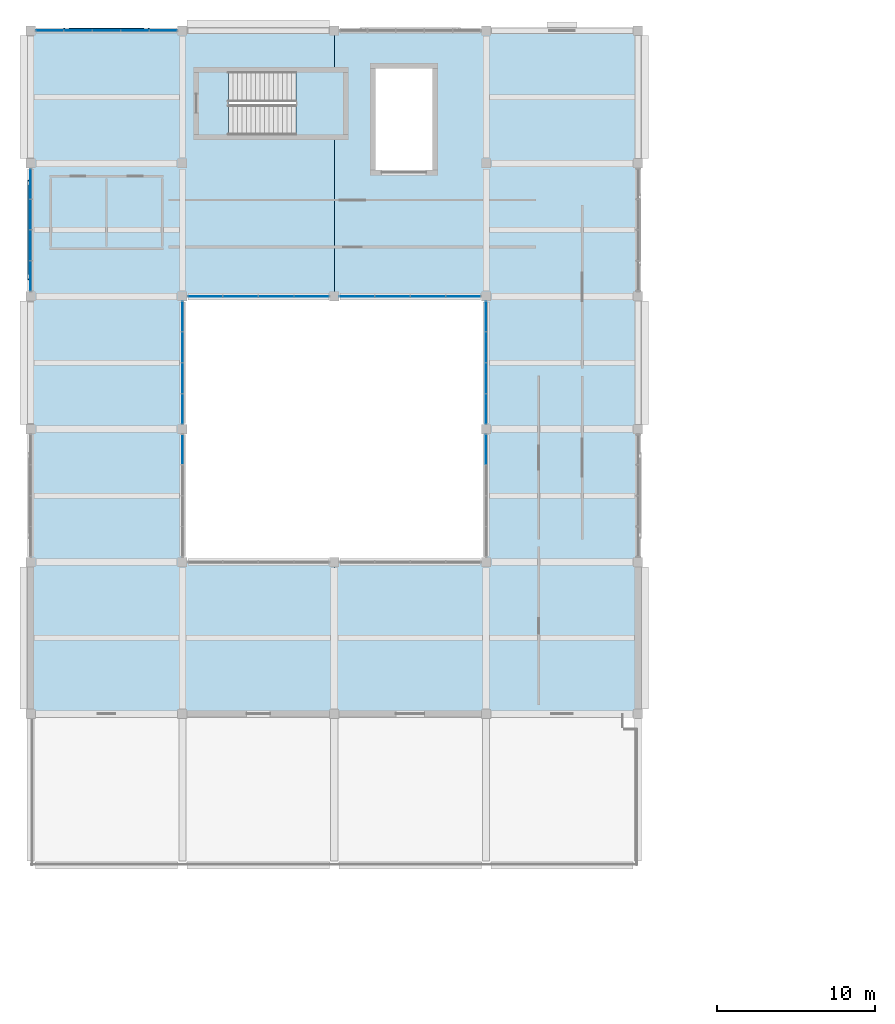
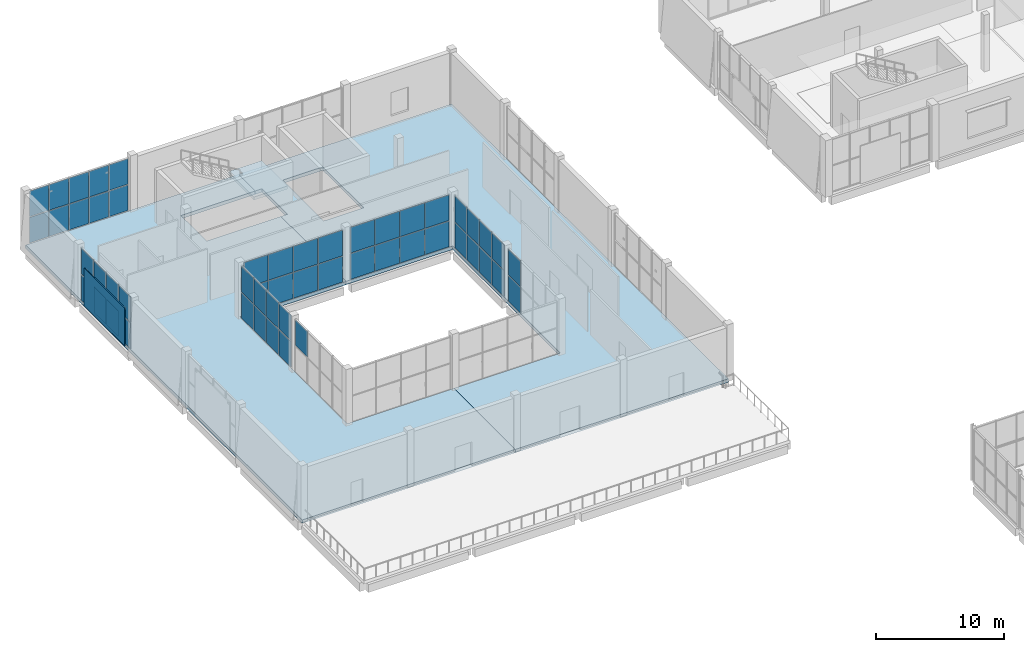
# One storey, part 47 of 83: 55 plates, 3 slabs, 9 elements without a shape of their own.
"""IFC4 building model written with IfcOpenShell, lengths in metres."""

from ifc_helpers import new_model, si_unit, direction, frame, origin, origin_2d, place, context, subcontext, project, spatial, polyline, rectangle, outline, extrude, material, layer, layer_set, type_object, element, aggregate, save


model = new_model("IFC4")

# Units and contexts
model_context = context("Model", 3, precision=1e-05, world=origin(), true_north=direction((0.0, 1.0)))
body_context = subcontext(model_context, "Body", "Model", "MODEL_VIEW")
ifc_project = project(units=[si_unit("LENGTHUNIT", "METRE"), si_unit("AREAUNIT", "SQUARE_METRE"), si_unit("VOLUMEUNIT", "CUBIC_METRE"), si_unit("PLANEANGLEUNIT", "RADIAN"), si_unit("MASSUNIT", "GRAM", prefix="KILO")], contexts=[model_context])

# Site, building, storey
site_placement = place(None, origin())
site = spatial("IfcSite", under=ifc_project, at=site_placement, CompositionType="ELEMENT")
building_placement = place(site_placement, origin())
building = spatial("IfcBuilding", under=site, at=building_placement, Name="Shalvenor Court Art Gallery", CompositionType="ELEMENT")
storey_placement = place(building_placement, frame((0.0, 0.0, 6.0)))
storey = spatial("IfcBuildingStorey", under=building, at=storey_placement, Name="L01", CompositionType="ELEMENT", Elevation=6.0)

# Curtain wall, plates
ifc_material_1 = material(Name="Anodised aluminium and low-iron glass curtain wall", Category="aluminium")
curtain_wall_type_1 = type_object("IfcCurtainWallType", Name="CW-5x2-90-51-641", PredefinedType="USERDEFINED", material=ifc_material_1)
curtain_wall_1_placement = place(storey_placement, origin())
curtain_wall_1 = element("IfcCurtainWall", 1, at=curtain_wall_1_placement, inside=storey, type_object=curtain_wall_type_1, Name="L01 V5 Curtain Wall CW-L01-167", ObjectType="CURTAIN WALL", PredefinedType="USERDEFINED")
ifc_material_2 = material(Name="Low-iron UV-laminated double glazing IGU", Category="glass")
ifc_layer_1 = layer(ifc_material_2, 0.028076171875, Name="Low-iron UV-laminated double glazing IGU")
ifc_layer_set_1 = layer_set([ifc_layer_1], Name="Low-iron UV-laminated double glazing IGU")
plate_type_1 = type_object("IfcPlateType", Name="CWP-01", PredefinedType="CURTAIN_PANEL", material=ifc_layer_set_1)
plate_1_placement = place(storey_placement, frame((1.2138671875, 122.39990234375, 0.070068359375), z_axis=(0.0, 0.0, 1.0), x_axis=(1.0, 0.0, 0.0)))
plate_1 = element("IfcPlate", 2, at=plate_1_placement, type_object=plate_type_1, Name="CW-5x2-90-51-641 panel 1.1", PredefinedType="CURTAIN_PANEL", context=body_context, shape_type="SweptSolid", body=[
    extrude(rectangle(XDim=1.717529296875, YDim=0.028076171875, at=origin_2d()), origin(), (0.0, 0.0, 1.0), 2.43505859375),
])
plate_2_placement = place(storey_placement, frame((1.2138671875, 122.39990234375, 2.574951171875), z_axis=(0.0, 0.0, 1.0), x_axis=(1.0, 0.0, 0.0)))
plate_2 = element("IfcPlate", 3, at=plate_2_placement, type_object=plate_type_1, Name="CW-5x2-90-51-641 panel 1.2", PredefinedType="CURTAIN_PANEL", context=body_context, shape_type="SweptSolid", body=[
    extrude(rectangle(XDim=1.717529296875, YDim=0.028076171875, at=origin_2d()), origin(), (0.0, 0.0, 1.0), 2.43505859375),
])
plate_3_placement = place(storey_placement, frame((3.0, 122.39990234375, 0.070068359375), z_axis=(0.0, 0.0, 1.0), x_axis=(1.0, 0.0, 0.0)))
plate_3 = element("IfcPlate", 4, at=plate_3_placement, type_object=plate_type_1, Name="CW-5x2-90-51-641 panel 2.1", PredefinedType="CURTAIN_PANEL", context=body_context, shape_type="SweptSolid", body=[
    extrude(rectangle(XDim=1.7451171875, YDim=0.028076171875, at=origin_2d()), origin(), (0.0, 0.0, 1.0), 2.43505859375),
])
plate_4_placement = place(storey_placement, frame((3.0, 122.39990234375, 2.574951171875), z_axis=(0.0, 0.0, 1.0), x_axis=(1.0, 0.0, 0.0)))
plate_4 = element("IfcPlate", 5, at=plate_4_placement, type_object=plate_type_1, Name="CW-5x2-90-51-641 panel 2.2", PredefinedType="CURTAIN_PANEL", context=body_context, shape_type="SweptSolid", body=[
    extrude(rectangle(XDim=1.7451171875, YDim=0.028076171875, at=origin_2d()), origin(), (0.0, 0.0, 1.0), 2.43505859375),
])
plate_5_placement = place(storey_placement, frame((4.800048828125, 122.39990234375, 0.070068359375), z_axis=(0.0, 0.0, 1.0), x_axis=(1.0, 0.0, 0.0)))
plate_5 = element("IfcPlate", 6, at=plate_5_placement, type_object=plate_type_1, Name="CW-5x2-90-51-641 panel 3.1", PredefinedType="CURTAIN_PANEL", context=body_context, shape_type="SweptSolid", body=[
    extrude(rectangle(XDim=1.7451171875, YDim=0.028076171875, at=origin_2d()), origin(), (0.0, 0.0, 1.0), 2.43505859375),
])
plate_6_placement = place(storey_placement, frame((4.800048828125, 122.39990234375, 2.574951171875), z_axis=(0.0, 0.0, 1.0), x_axis=(1.0, 0.0, 0.0)))
plate_6 = element("IfcPlate", 7, at=plate_6_placement, type_object=plate_type_1, Name="CW-5x2-90-51-641 panel 3.2", PredefinedType="CURTAIN_PANEL", context=body_context, shape_type="SweptSolid", body=[
    extrude(rectangle(XDim=1.7451171875, YDim=0.028076171875, at=origin_2d()), origin(), (0.0, 0.0, 1.0), 2.43505859375),
])
plate_7_placement = place(storey_placement, frame((6.60009765625, 122.39990234375, 0.070068359375), z_axis=(0.0, 0.0, 1.0), x_axis=(1.0, 0.0, 0.0)))
plate_7 = element("IfcPlate", 8, at=plate_7_placement, type_object=plate_type_1, Name="CW-5x2-90-51-641 panel 4.1", PredefinedType="CURTAIN_PANEL", context=body_context, shape_type="SweptSolid", body=[
    extrude(rectangle(XDim=1.7451171875, YDim=0.028076171875, at=origin_2d()), origin(), (0.0, 0.0, 1.0), 2.43505859375),
])
plate_8_placement = place(storey_placement, frame((6.60009765625, 122.39990234375, 2.574951171875), z_axis=(0.0, 0.0, 1.0), x_axis=(1.0, 0.0, 0.0)))
plate_8 = element("IfcPlate", 9, at=plate_8_placement, type_object=plate_type_1, Name="CW-5x2-90-51-641 panel 4.2", PredefinedType="CURTAIN_PANEL", context=body_context, shape_type="SweptSolid", body=[
    extrude(rectangle(XDim=1.7451171875, YDim=0.028076171875, at=origin_2d()), origin(), (0.0, 0.0, 1.0), 2.43505859375),
])
plate_9_placement = place(storey_placement, frame((8.38623046875, 122.39990234375, 0.070068359375), z_axis=(0.0, 0.0, 1.0), x_axis=(1.0, 0.0, 0.0)))
plate_9 = element("IfcPlate", 10, at=plate_9_placement, type_object=plate_type_1, Name="CW-5x2-90-51-641 panel 5.1", PredefinedType="CURTAIN_PANEL", context=body_context, shape_type="SweptSolid", body=[
    extrude(rectangle(XDim=1.717529296875, YDim=0.028076171875, at=origin_2d()), origin(), (0.0, 0.0, 1.0), 2.43505859375),
])
plate_10_placement = place(storey_placement, frame((8.38623046875, 122.39990234375, 2.574951171875), z_axis=(0.0, 0.0, 1.0), x_axis=(1.0, 0.0, 0.0)))
plate_10 = element("IfcPlate", 11, at=plate_10_placement, type_object=plate_type_1, Name="CW-5x2-90-51-641 panel 5.2", PredefinedType="CURTAIN_PANEL", context=body_context, shape_type="SweptSolid", body=[
    extrude(rectangle(XDim=1.717529296875, YDim=0.028076171875, at=origin_2d()), origin(), (0.0, 0.0, 1.0), 2.43505859375),
])
aggregate(curtain_wall_1, [plate_1, plate_2, plate_3, plate_4, plate_5, plate_6, plate_7, plate_8, plate_9, plate_10])

ifc_material_3 = material(Name="Anodised aluminium and low-iron glass curtain wall", Category="aluminium")
curtain_wall_type_2 = type_object("IfcCurtainWallType", Name="CW-4x2-78-51-121", PredefinedType="USERDEFINED", material=ifc_material_3)
curtain_wall_2_placement = place(storey_placement, origin())
curtain_wall_2 = element("IfcCurtainWall", 12, at=curtain_wall_2_placement, inside=storey, type_object=curtain_wall_type_2, Name="L01 V5 Curtain Wall CW-L01-172", ObjectType="CURTAIN WALL", PredefinedType="USERDEFINED")
plate_11_placement = place(storey_placement, frame((0.0, 106.891357421875, 0.06494140625), z_axis=(0.0, 0.0, 1.0), x_axis=(0.0, 1.0, 0.0)))
plate_11 = element("IfcPlate", 13, at=plate_11_placement, type_object=plate_type_1, Name="CW-4x2-78-51-121 panel 1.1", PredefinedType="CURTAIN_PANEL", context=body_context, shape_type="SweptSolid", body=[
    extrude(rectangle(XDim=1.8525390625, YDim=0.028076171875, at=origin_2d()), origin(), (0.0, 0.0, 1.0), 2.4423828125),
])
plate_12_placement = place(storey_placement, frame((0.0, 106.891357421875, 2.572509765625), z_axis=(0.0, 0.0, 1.0), x_axis=(0.0, 1.0, 0.0)))
plate_12 = element("IfcPlate", 14, at=plate_12_placement, type_object=plate_type_1, Name="CW-4x2-78-51-121 panel 1.2", PredefinedType="CURTAIN_PANEL", context=body_context, shape_type="SweptSolid", body=[
    extrude(rectangle(XDim=1.8525390625, YDim=0.028076171875, at=origin_2d()), origin(), (0.0, 0.0, 1.0), 2.4423828125),
])
plate_13_placement = place(storey_placement, frame((0.0, 108.824951171875, 0.06494140625), z_axis=(0.0, 0.0, 1.0), x_axis=(0.0, 1.0, 0.0)))
plate_13 = element("IfcPlate", 15, at=plate_13_placement, type_object=plate_type_1, Name="CW-4x2-78-51-121 panel 2.1", PredefinedType="CURTAIN_PANEL", context=body_context, shape_type="SweptSolid", body=[
    extrude(rectangle(XDim=1.885009765625, YDim=0.028076171875, at=origin_2d()), origin(), (0.0, 0.0, 1.0), 2.4423828125),
])
plate_14_placement = place(storey_placement, frame((0.0, 108.824951171875, 2.572509765625), z_axis=(0.0, 0.0, 1.0), x_axis=(0.0, 1.0, 0.0)))
plate_14 = element("IfcPlate", 16, at=plate_14_placement, type_object=plate_type_1, Name="CW-4x2-78-51-121 panel 2.2", PredefinedType="CURTAIN_PANEL", context=body_context, shape_type="SweptSolid", body=[
    extrude(rectangle(XDim=1.885009765625, YDim=0.028076171875, at=origin_2d()), origin(), (0.0, 0.0, 1.0), 2.4423828125),
])
plate_15_placement = place(storey_placement, frame((0.0, 110.77490234375, 0.06494140625), z_axis=(0.0, 0.0, 1.0), x_axis=(0.0, 1.0, 0.0)))
plate_15 = element("IfcPlate", 17, at=plate_15_placement, type_object=plate_type_1, Name="CW-4x2-78-51-121 panel 3.1", PredefinedType="CURTAIN_PANEL", context=body_context, shape_type="SweptSolid", body=[
    extrude(rectangle(XDim=1.885009765625, YDim=0.028076171875, at=origin_2d()), origin(), (0.0, 0.0, 1.0), 2.4423828125),
])
plate_16_placement = place(storey_placement, frame((0.0, 110.77490234375, 2.572509765625), z_axis=(0.0, 0.0, 1.0), x_axis=(0.0, 1.0, 0.0)))
plate_16 = element("IfcPlate", 18, at=plate_16_placement, type_object=plate_type_1, Name="CW-4x2-78-51-121 panel 3.2", PredefinedType="CURTAIN_PANEL", context=body_context, shape_type="SweptSolid", body=[
    extrude(rectangle(XDim=1.885009765625, YDim=0.028076171875, at=origin_2d()), origin(), (0.0, 0.0, 1.0), 2.4423828125),
])
plate_17_placement = place(storey_placement, frame((0.0, 112.708740234375, 0.06494140625), z_axis=(0.0, 0.0, 1.0), x_axis=(0.0, 1.0, 0.0)))
plate_17 = element("IfcPlate", 19, at=plate_17_placement, type_object=plate_type_1, Name="CW-4x2-78-51-121 panel 4.1", PredefinedType="CURTAIN_PANEL", context=body_context, shape_type="SweptSolid", body=[
    extrude(rectangle(XDim=1.8525390625, YDim=0.028076171875, at=origin_2d()), origin(), (0.0, 0.0, 1.0), 2.4423828125),
])
plate_18_placement = place(storey_placement, frame((0.0, 112.708740234375, 2.572509765625), z_axis=(0.0, 0.0, 1.0), x_axis=(0.0, 1.0, 0.0)))
plate_18 = element("IfcPlate", 20, at=plate_18_placement, type_object=plate_type_1, Name="CW-4x2-78-51-121 panel 4.2", PredefinedType="CURTAIN_PANEL", context=body_context, shape_type="SweptSolid", body=[
    extrude(rectangle(XDim=1.8525390625, YDim=0.028076171875, at=origin_2d()), origin(), (0.0, 0.0, 1.0), 2.4423828125),
])
aggregate(curtain_wall_2, [plate_11, plate_12, plate_13, plate_14, plate_15, plate_16, plate_17, plate_18])

ifc_material_4 = material(Name="Anodised aluminium and low-iron glass curtain wall", Category="aluminium")
curtain_wall_type_3 = type_object("IfcCurtainWallType", Name="CW-CT-4-78", PredefinedType="USERDEFINED", material=ifc_material_4)
curtain_wall_3_placement = place(storey_placement, origin())
curtain_wall_3 = element("IfcCurtainWall", 21, at=curtain_wall_3_placement, inside=storey, type_object=curtain_wall_type_3, Name="L01 Studios Courtyard Curtain Wall CW-CRT-L01-175", ObjectType="CURTAIN WALL", PredefinedType="USERDEFINED")
ifc_material_5 = material(Name="Acoustic laminated courtyard curtain glazing IGU", Category="glass")
ifc_layer_2 = layer(ifc_material_5, 0.0400390625, Name="Acoustic laminated courtyard curtain glazing IGU")
ifc_layer_set_2 = layer_set([ifc_layer_2], Name="Acoustic laminated courtyard curtain glazing IGU")
plate_type_2 = type_object("IfcPlateType", Name="CWP-05", PredefinedType="CURTAIN_PANEL", material=ifc_layer_set_2)
plate_19_placement = place(storey_placement, frame((28.800048828125, 95.9111328125, 0.06494140625), z_axis=(0.0, 0.0, 1.0), x_axis=(0.0, 1.0, 0.0)))
plate_19 = element("IfcPlate", 22, at=plate_19_placement, type_object=plate_type_2, Name="CW-CT-4-78 panel 4.1", PredefinedType="CURTAIN_PANEL", context=body_context, shape_type="SweptSolid", body=[
    extrude(rectangle(XDim=1.867431640625, YDim=0.0400390625, at=origin_2d()), origin(), (0.0, 0.0, 1.0), 2.4423828125),
])
plate_20_placement = place(storey_placement, frame((28.800048828125, 95.9111328125, 2.572509765625), z_axis=(0.0, 0.0, 1.0), x_axis=(0.0, 1.0, 0.0)))
plate_20 = element("IfcPlate", 23, at=plate_20_placement, type_object=plate_type_2, Name="CW-CT-4-78 panel 4.2", PredefinedType="CURTAIN_PANEL", context=body_context, shape_type="SweptSolid", body=[
    extrude(rectangle(XDim=1.867431640625, YDim=0.0400390625, at=origin_2d()), origin(), (0.0, 0.0, 1.0), 2.4423828125),
])
aggregate(curtain_wall_3, [plate_19, plate_20])

curtain_wall_4_placement = place(storey_placement, origin())
curtain_wall_4 = element("IfcCurtainWall", 24, at=curtain_wall_4_placement, inside=storey, type_object=curtain_wall_type_3, Name="L01 Studios Courtyard Curtain Wall CW-CRT-L01-176", ObjectType="CURTAIN WALL", PredefinedType="USERDEFINED")
plate_21_placement = place(storey_placement, frame((28.800048828125, 98.48876953125, 0.06494140625), z_axis=(0.0, 0.0, 1.0), x_axis=(0.0, 1.0, 0.0)))
plate_21 = element("IfcPlate", 25, at=plate_21_placement, type_object=plate_type_2, Name="CW-CT-4-78 panel 1.1", PredefinedType="CURTAIN_PANEL", context=body_context, shape_type="SweptSolid", body=[
    extrude(rectangle(XDim=1.867431640625, YDim=0.0400390625, at=origin_2d()), origin(), (0.0, 0.0, 1.0), 2.4423828125),
])
plate_22_placement = place(storey_placement, frame((28.800048828125, 98.48876953125, 2.572509765625), z_axis=(0.0, 0.0, 1.0), x_axis=(0.0, 1.0, 0.0)))
plate_22 = element("IfcPlate", 26, at=plate_22_placement, type_object=plate_type_2, Name="CW-CT-4-78 panel 1.2", PredefinedType="CURTAIN_PANEL", context=body_context, shape_type="SweptSolid", body=[
    extrude(rectangle(XDim=1.867431640625, YDim=0.0400390625, at=origin_2d()), origin(), (0.0, 0.0, 1.0), 2.4423828125),
])
plate_23_placement = place(storey_placement, frame((28.800048828125, 100.425048828125, 0.06494140625), z_axis=(0.0, 0.0, 1.0), x_axis=(0.0, 1.0, 0.0)))
plate_23 = element("IfcPlate", 27, at=plate_23_placement, type_object=plate_type_2, Name="CW-CT-4-78 panel 2.1", PredefinedType="CURTAIN_PANEL", context=body_context, shape_type="SweptSolid", body=[
    extrude(rectangle(XDim=1.89501953125, YDim=0.0400390625, at=origin_2d()), origin(), (0.0, 0.0, 1.0), 2.4423828125),
])
plate_24_placement = place(storey_placement, frame((28.800048828125, 100.425048828125, 2.572509765625), z_axis=(0.0, 0.0, 1.0), x_axis=(0.0, 1.0, 0.0)))
plate_24 = element("IfcPlate", 28, at=plate_24_placement, type_object=plate_type_2, Name="CW-CT-4-78 panel 2.2", PredefinedType="CURTAIN_PANEL", context=body_context, shape_type="SweptSolid", body=[
    extrude(rectangle(XDim=1.89501953125, YDim=0.0400390625, at=origin_2d()), origin(), (0.0, 0.0, 1.0), 2.4423828125),
])
plate_25_placement = place(storey_placement, frame((28.800048828125, 102.375, 0.06494140625), z_axis=(0.0, 0.0, 1.0), x_axis=(0.0, 1.0, 0.0)))
plate_25 = element("IfcPlate", 29, at=plate_25_placement, type_object=plate_type_2, Name="CW-CT-4-78 panel 3.1", PredefinedType="CURTAIN_PANEL", context=body_context, shape_type="SweptSolid", body=[
    extrude(rectangle(XDim=1.89501953125, YDim=0.0400390625, at=origin_2d()), origin(), (0.0, 0.0, 1.0), 2.4423828125),
])
plate_26_placement = place(storey_placement, frame((28.800048828125, 102.375, 2.572509765625), z_axis=(0.0, 0.0, 1.0), x_axis=(0.0, 1.0, 0.0)))
plate_26 = element("IfcPlate", 30, at=plate_26_placement, type_object=plate_type_2, Name="CW-CT-4-78 panel 3.2", PredefinedType="CURTAIN_PANEL", context=body_context, shape_type="SweptSolid", body=[
    extrude(rectangle(XDim=1.89501953125, YDim=0.0400390625, at=origin_2d()), origin(), (0.0, 0.0, 1.0), 2.4423828125),
])
plate_27_placement = place(storey_placement, frame((28.800048828125, 104.311279296875, 0.06494140625), z_axis=(0.0, 0.0, 1.0), x_axis=(0.0, 1.0, 0.0)))
plate_27 = element("IfcPlate", 31, at=plate_27_placement, type_object=plate_type_2, Name="CW-CT-4-78 panel 4.1", PredefinedType="CURTAIN_PANEL", context=body_context, shape_type="SweptSolid", body=[
    extrude(rectangle(XDim=1.867431640625, YDim=0.0400390625, at=origin_2d()), origin(), (0.0, 0.0, 1.0), 2.4423828125),
])
plate_28_placement = place(storey_placement, frame((28.800048828125, 104.311279296875, 2.572509765625), z_axis=(0.0, 0.0, 1.0), x_axis=(0.0, 1.0, 0.0)))
plate_28 = element("IfcPlate", 32, at=plate_28_placement, type_object=plate_type_2, Name="CW-CT-4-78 panel 4.2", PredefinedType="CURTAIN_PANEL", context=body_context, shape_type="SweptSolid", body=[
    extrude(rectangle(XDim=1.867431640625, YDim=0.0400390625, at=origin_2d()), origin(), (0.0, 0.0, 1.0), 2.4423828125),
])
aggregate(curtain_wall_4, [plate_21, plate_22, plate_23, plate_24, plate_25, plate_26, plate_27, plate_28])

ifc_material_6 = material(Name="Anodised aluminium and low-iron glass curtain wall", Category="aluminium")
curtain_wall_type_4 = type_object("IfcCurtainWallType", Name="CW-CT-4-90", PredefinedType="USERDEFINED", material=ifc_material_6)
curtain_wall_5_placement = place(storey_placement, origin())
curtain_wall_5 = element("IfcCurtainWall", 33, at=curtain_wall_5_placement, inside=storey, type_object=curtain_wall_type_4, Name="L01 Studios Courtyard Curtain Wall CW-CRT-L01-177", ObjectType="CURTAIN WALL", PredefinedType="USERDEFINED")
plate_29_placement = place(storey_placement, frame((27.361328125, 105.60009765625, 0.06494140625), z_axis=(0.0, 0.0, 1.0), x_axis=(-1.0, 0.0, 0.0)))
plate_29 = element("IfcPlate", 34, at=plate_29_placement, type_object=plate_type_2, Name="CW-CT-4-90 panel 1.1", PredefinedType="CURTAIN_PANEL", context=body_context, shape_type="SweptSolid", body=[
    extrude(rectangle(XDim=2.16748046875, YDim=0.0400390625, at=origin_2d()), origin(), (0.0, 0.0, 1.0), 2.4423828125),
])
plate_30_placement = place(storey_placement, frame((27.361328125, 105.60009765625, 2.572509765625), z_axis=(0.0, 0.0, 1.0), x_axis=(-1.0, 0.0, 0.0)))
plate_30 = element("IfcPlate", 35, at=plate_30_placement, type_object=plate_type_2, Name="CW-CT-4-90 panel 1.2", PredefinedType="CURTAIN_PANEL", context=body_context, shape_type="SweptSolid", body=[
    extrude(rectangle(XDim=2.16748046875, YDim=0.0400390625, at=origin_2d()), origin(), (0.0, 0.0, 1.0), 2.4423828125),
])
plate_31_placement = place(storey_placement, frame((25.125, 105.60009765625, 0.06494140625), z_axis=(0.0, 0.0, 1.0), x_axis=(-1.0, 0.0, 0.0)))
plate_31 = element("IfcPlate", 36, at=plate_31_placement, type_object=plate_type_2, Name="CW-CT-4-90 panel 2.1", PredefinedType="CURTAIN_PANEL", context=body_context, shape_type="SweptSolid", body=[
    extrude(rectangle(XDim=2.195068359375, YDim=0.0400390625, at=origin_2d()), origin(), (0.0, 0.0, 1.0), 2.4423828125),
])
plate_32_placement = place(storey_placement, frame((25.125, 105.60009765625, 2.572509765625), z_axis=(0.0, 0.0, 1.0), x_axis=(-1.0, 0.0, 0.0)))
plate_32 = element("IfcPlate", 37, at=plate_32_placement, type_object=plate_type_2, Name="CW-CT-4-90 panel 2.2", PredefinedType="CURTAIN_PANEL", context=body_context, shape_type="SweptSolid", body=[
    extrude(rectangle(XDim=2.195068359375, YDim=0.0400390625, at=origin_2d()), origin(), (0.0, 0.0, 1.0), 2.4423828125),
])
plate_33_placement = place(storey_placement, frame((22.875, 105.60009765625, 0.06494140625), z_axis=(0.0, 0.0, 1.0), x_axis=(-1.0, 0.0, 0.0)))
plate_33 = element("IfcPlate", 38, at=plate_33_placement, type_object=plate_type_2, Name="CW-CT-4-90 panel 3.1", PredefinedType="CURTAIN_PANEL", context=body_context, shape_type="SweptSolid", body=[
    extrude(rectangle(XDim=2.195068359375, YDim=0.0400390625, at=origin_2d()), origin(), (0.0, 0.0, 1.0), 2.4423828125),
])
plate_34_placement = place(storey_placement, frame((22.875, 105.60009765625, 2.572509765625), z_axis=(0.0, 0.0, 1.0), x_axis=(-1.0, 0.0, 0.0)))
plate_34 = element("IfcPlate", 39, at=plate_34_placement, type_object=plate_type_2, Name="CW-CT-4-90 panel 3.2", PredefinedType="CURTAIN_PANEL", context=body_context, shape_type="SweptSolid", body=[
    extrude(rectangle(XDim=2.195068359375, YDim=0.0400390625, at=origin_2d()), origin(), (0.0, 0.0, 1.0), 2.4423828125),
])
plate_35_placement = place(storey_placement, frame((20.638671875, 105.60009765625, 0.06494140625), z_axis=(0.0, 0.0, 1.0), x_axis=(-1.0, 0.0, 0.0)))
plate_35 = element("IfcPlate", 40, at=plate_35_placement, type_object=plate_type_2, Name="CW-CT-4-90 panel 4.1", PredefinedType="CURTAIN_PANEL", context=body_context, shape_type="SweptSolid", body=[
    extrude(rectangle(XDim=2.16748046875, YDim=0.0400390625, at=origin_2d()), origin(), (0.0, 0.0, 1.0), 2.4423828125),
])
plate_36_placement = place(storey_placement, frame((20.638671875, 105.60009765625, 2.572509765625), z_axis=(0.0, 0.0, 1.0), x_axis=(-1.0, 0.0, 0.0)))
plate_36 = element("IfcPlate", 41, at=plate_36_placement, type_object=plate_type_2, Name="CW-CT-4-90 panel 4.2", PredefinedType="CURTAIN_PANEL", context=body_context, shape_type="SweptSolid", body=[
    extrude(rectangle(XDim=2.16748046875, YDim=0.0400390625, at=origin_2d()), origin(), (0.0, 0.0, 1.0), 2.4423828125),
])
aggregate(curtain_wall_5, [plate_29, plate_30, plate_31, plate_32, plate_33, plate_34, plate_35, plate_36])

curtain_wall_6_placement = place(storey_placement, origin())
curtain_wall_6 = element("IfcCurtainWall", 42, at=curtain_wall_6_placement, inside=storey, type_object=curtain_wall_type_4, Name="L01 Studios Courtyard Curtain Wall CW-CRT-L01-178", ObjectType="CURTAIN WALL", PredefinedType="USERDEFINED")
plate_37_placement = place(storey_placement, frame((17.76123046875, 105.60009765625, 0.06494140625), z_axis=(0.0, 0.0, 1.0), x_axis=(-1.0, 0.0, 0.0)))
plate_37 = element("IfcPlate", 43, at=plate_37_placement, type_object=plate_type_2, Name="CW-CT-4-90 panel 1.1", PredefinedType="CURTAIN_PANEL", context=body_context, shape_type="SweptSolid", body=[
    extrude(rectangle(XDim=2.16748046875, YDim=0.0400390625, at=origin_2d()), origin(), (0.0, 0.0, 1.0), 2.4423828125),
])
plate_38_placement = place(storey_placement, frame((17.76123046875, 105.60009765625, 2.572509765625), z_axis=(0.0, 0.0, 1.0), x_axis=(-1.0, 0.0, 0.0)))
plate_38 = element("IfcPlate", 44, at=plate_38_placement, type_object=plate_type_2, Name="CW-CT-4-90 panel 1.2", PredefinedType="CURTAIN_PANEL", context=body_context, shape_type="SweptSolid", body=[
    extrude(rectangle(XDim=2.16748046875, YDim=0.0400390625, at=origin_2d()), origin(), (0.0, 0.0, 1.0), 2.4423828125),
])
plate_39_placement = place(storey_placement, frame((15.52490234375, 105.60009765625, 0.06494140625), z_axis=(0.0, 0.0, 1.0), x_axis=(-1.0, 0.0, 0.0)))
plate_39 = element("IfcPlate", 45, at=plate_39_placement, type_object=plate_type_2, Name="CW-CT-4-90 panel 2.1", PredefinedType="CURTAIN_PANEL", context=body_context, shape_type="SweptSolid", body=[
    extrude(rectangle(XDim=2.195068359375, YDim=0.0400390625, at=origin_2d()), origin(), (0.0, 0.0, 1.0), 2.4423828125),
])
plate_40_placement = place(storey_placement, frame((15.52490234375, 105.60009765625, 2.572509765625), z_axis=(0.0, 0.0, 1.0), x_axis=(-1.0, 0.0, 0.0)))
plate_40 = element("IfcPlate", 46, at=plate_40_placement, type_object=plate_type_2, Name="CW-CT-4-90 panel 2.2", PredefinedType="CURTAIN_PANEL", context=body_context, shape_type="SweptSolid", body=[
    extrude(rectangle(XDim=2.195068359375, YDim=0.0400390625, at=origin_2d()), origin(), (0.0, 0.0, 1.0), 2.4423828125),
])
plate_41_placement = place(storey_placement, frame((13.27490234375, 105.60009765625, 0.06494140625), z_axis=(0.0, 0.0, 1.0), x_axis=(-1.0, 0.0, 0.0)))
plate_41 = element("IfcPlate", 47, at=plate_41_placement, type_object=plate_type_2, Name="CW-CT-4-90 panel 3.1", PredefinedType="CURTAIN_PANEL", context=body_context, shape_type="SweptSolid", body=[
    extrude(rectangle(XDim=2.195068359375, YDim=0.0400390625, at=origin_2d()), origin(), (0.0, 0.0, 1.0), 2.4423828125),
])
plate_42_placement = place(storey_placement, frame((13.27490234375, 105.60009765625, 2.572509765625), z_axis=(0.0, 0.0, 1.0), x_axis=(-1.0, 0.0, 0.0)))
plate_42 = element("IfcPlate", 48, at=plate_42_placement, type_object=plate_type_2, Name="CW-CT-4-90 panel 3.2", PredefinedType="CURTAIN_PANEL", context=body_context, shape_type="SweptSolid", body=[
    extrude(rectangle(XDim=2.195068359375, YDim=0.0400390625, at=origin_2d()), origin(), (0.0, 0.0, 1.0), 2.4423828125),
])
plate_43_placement = place(storey_placement, frame((11.038818359375, 105.60009765625, 0.06494140625), z_axis=(0.0, 0.0, 1.0), x_axis=(-1.0, 0.0, 0.0)))
plate_43 = element("IfcPlate", 49, at=plate_43_placement, type_object=plate_type_2, Name="CW-CT-4-90 panel 4.1", PredefinedType="CURTAIN_PANEL", context=body_context, shape_type="SweptSolid", body=[
    extrude(rectangle(XDim=2.16748046875, YDim=0.0400390625, at=origin_2d()), origin(), (0.0, 0.0, 1.0), 2.4423828125),
])
plate_44_placement = place(storey_placement, frame((11.038818359375, 105.60009765625, 2.572509765625), z_axis=(0.0, 0.0, 1.0), x_axis=(-1.0, 0.0, 0.0)))
plate_44 = element("IfcPlate", 50, at=plate_44_placement, type_object=plate_type_2, Name="CW-CT-4-90 panel 4.2", PredefinedType="CURTAIN_PANEL", context=body_context, shape_type="SweptSolid", body=[
    extrude(rectangle(XDim=2.16748046875, YDim=0.0400390625, at=origin_2d()), origin(), (0.0, 0.0, 1.0), 2.4423828125),
])
aggregate(curtain_wall_6, [plate_37, plate_38, plate_39, plate_40, plate_41, plate_42, plate_43, plate_44])

curtain_wall_7_placement = place(storey_placement, origin())
curtain_wall_7 = element("IfcCurtainWall", 51, at=curtain_wall_7_placement, inside=storey, type_object=curtain_wall_type_3, Name="L01 Studios Courtyard Curtain Wall CW-CRT-L01-179", ObjectType="CURTAIN WALL", PredefinedType="USERDEFINED")
plate_45_placement = place(storey_placement, frame((9.60009765625, 104.311279296875, 0.06494140625), z_axis=(0.0, 0.0, 1.0), x_axis=(0.0, -1.0, 0.0)))
plate_45 = element("IfcPlate", 52, at=plate_45_placement, type_object=plate_type_2, Name="CW-CT-4-78 panel 1.1", PredefinedType="CURTAIN_PANEL", context=body_context, shape_type="SweptSolid", body=[
    extrude(rectangle(XDim=1.867431640625, YDim=0.0400390625, at=origin_2d()), origin(), (0.0, 0.0, 1.0), 2.4423828125),
])
plate_46_placement = place(storey_placement, frame((9.60009765625, 104.311279296875, 2.572509765625), z_axis=(0.0, 0.0, 1.0), x_axis=(0.0, -1.0, 0.0)))
plate_46 = element("IfcPlate", 53, at=plate_46_placement, type_object=plate_type_2, Name="CW-CT-4-78 panel 1.2", PredefinedType="CURTAIN_PANEL", context=body_context, shape_type="SweptSolid", body=[
    extrude(rectangle(XDim=1.867431640625, YDim=0.0400390625, at=origin_2d()), origin(), (0.0, 0.0, 1.0), 2.4423828125),
])
plate_47_placement = place(storey_placement, frame((9.60009765625, 102.375, 0.06494140625), z_axis=(0.0, 0.0, 1.0), x_axis=(0.0, -1.0, 0.0)))
plate_47 = element("IfcPlate", 54, at=plate_47_placement, type_object=plate_type_2, Name="CW-CT-4-78 panel 2.1", PredefinedType="CURTAIN_PANEL", context=body_context, shape_type="SweptSolid", body=[
    extrude(rectangle(XDim=1.89501953125, YDim=0.0400390625, at=origin_2d()), origin(), (0.0, 0.0, 1.0), 2.4423828125),
])
plate_48_placement = place(storey_placement, frame((9.60009765625, 102.375, 2.572509765625), z_axis=(0.0, 0.0, 1.0), x_axis=(0.0, -1.0, 0.0)))
plate_48 = element("IfcPlate", 55, at=plate_48_placement, type_object=plate_type_2, Name="CW-CT-4-78 panel 2.2", PredefinedType="CURTAIN_PANEL", context=body_context, shape_type="SweptSolid", body=[
    extrude(rectangle(XDim=1.89501953125, YDim=0.0400390625, at=origin_2d()), origin(), (0.0, 0.0, 1.0), 2.4423828125),
])
plate_49_placement = place(storey_placement, frame((9.60009765625, 100.425048828125, 0.06494140625), z_axis=(0.0, 0.0, 1.0), x_axis=(0.0, -1.0, 0.0)))
plate_49 = element("IfcPlate", 56, at=plate_49_placement, type_object=plate_type_2, Name="CW-CT-4-78 panel 3.1", PredefinedType="CURTAIN_PANEL", context=body_context, shape_type="SweptSolid", body=[
    extrude(rectangle(XDim=1.89501953125, YDim=0.0400390625, at=origin_2d()), origin(), (0.0, 0.0, 1.0), 2.4423828125),
])
plate_50_placement = place(storey_placement, frame((9.60009765625, 100.425048828125, 2.572509765625), z_axis=(0.0, 0.0, 1.0), x_axis=(0.0, -1.0, 0.0)))
plate_50 = element("IfcPlate", 57, at=plate_50_placement, type_object=plate_type_2, Name="CW-CT-4-78 panel 3.2", PredefinedType="CURTAIN_PANEL", context=body_context, shape_type="SweptSolid", body=[
    extrude(rectangle(XDim=1.89501953125, YDim=0.0400390625, at=origin_2d()), origin(), (0.0, 0.0, 1.0), 2.4423828125),
])
plate_51_placement = place(storey_placement, frame((9.60009765625, 98.48876953125, 0.06494140625), z_axis=(0.0, 0.0, 1.0), x_axis=(0.0, -1.0, 0.0)))
plate_51 = element("IfcPlate", 58, at=plate_51_placement, type_object=plate_type_2, Name="CW-CT-4-78 panel 4.1", PredefinedType="CURTAIN_PANEL", context=body_context, shape_type="SweptSolid", body=[
    extrude(rectangle(XDim=1.867431640625, YDim=0.0400390625, at=origin_2d()), origin(), (0.0, 0.0, 1.0), 2.4423828125),
])
plate_52_placement = place(storey_placement, frame((9.60009765625, 98.48876953125, 2.572509765625), z_axis=(0.0, 0.0, 1.0), x_axis=(0.0, -1.0, 0.0)))
plate_52 = element("IfcPlate", 59, at=plate_52_placement, type_object=plate_type_2, Name="CW-CT-4-78 panel 4.2", PredefinedType="CURTAIN_PANEL", context=body_context, shape_type="SweptSolid", body=[
    extrude(rectangle(XDim=1.867431640625, YDim=0.0400390625, at=origin_2d()), origin(), (0.0, 0.0, 1.0), 2.4423828125),
])
aggregate(curtain_wall_7, [plate_45, plate_46, plate_47, plate_48, plate_49, plate_50, plate_51, plate_52])

# Curtain wall, plate
curtain_wall_8_placement = place(storey_placement, origin())
curtain_wall_8 = element("IfcCurtainWall", 60, at=curtain_wall_8_placement, inside=storey, type_object=curtain_wall_type_3, Name="L01 Studios Courtyard Curtain Wall CW-CRT-L01-180", ObjectType="CURTAIN WALL", PredefinedType="USERDEFINED")
plate_53_placement = place(storey_placement, frame((9.60009765625, 95.9111328125, 2.572509765625), z_axis=(0.0, 0.0, 1.0), x_axis=(0.0, -1.0, 0.0)))
plate_53 = element("IfcPlate", 61, at=plate_53_placement, type_object=plate_type_2, Name="CW-CT-4-78 panel 1.2", PredefinedType="CURTAIN_PANEL", context=body_context, shape_type="SweptSolid", body=[
    extrude(rectangle(XDim=1.867431640625, YDim=0.0400390625, at=origin_2d()), origin(), (0.0, 0.0, 1.0), 2.4423828125),
])
aggregate(curtain_wall_8, [plate_53])

# Slabs
ifc_material_7 = material(Name="Concrete C40/50", Category="concrete")
ifc_layer_3 = layer(ifc_material_7, 0.320068359375, Name="Concrete C40/50")
ifc_layer_set_3 = layer_set([ifc_layer_3], Name="Concrete C40/50")
slab_type_1 = type_object("IfcSlabType", Name="FS-320", PredefinedType="FLOOR", material=ifc_layer_set_3)
slab_1_placement = place(storey_placement, frame((0.0, 0.0, -0.320068359375)))
element("IfcSlab", 62, at=slab_1_placement, inside=storey, type_object=slab_type_1, Name="L01 V5 Floor Slab 1", PredefinedType="FLOOR", context=body_context, shape_type="SweptSolid", body=[
    extrude(outline(polyline([(0.0, 79.199951171875), (0.0, 122.39990234375), (19.199951171875, 122.39990234375), (19.199951171875, 119.800048828125), (12.510986328125, 119.800048828125), (12.510986328125, 115.800048828125), (19.199951171875, 115.800048828125), (19.199951171875, 105.60009765625), (9.60009765625, 105.60009765625), (9.60009765625, 88.800048828125), (19.199951171875, 88.800048828125), (19.199951171875, 79.199951171875), (0.0, 79.199951171875)])), origin(), (0.0, 0.0, 1.0), 0.320068359375),
])
slab_2_placement = place(storey_placement, frame((0.0, 0.0, -0.320068359375)))
element("IfcSlab", 63, at=slab_2_placement, inside=storey, type_object=slab_type_1, Name="L01 V5 Floor Slab 2", PredefinedType="FLOOR", context=body_context, shape_type="SweptSolid", body=[
    extrude(outline(polyline([(38.39990234375, 79.199951171875), (19.199951171875, 79.199951171875), (19.199951171875, 88.800048828125), (28.800048828125, 88.800048828125), (28.800048828125, 105.60009765625), (19.199951171875, 105.60009765625), (19.199951171875, 115.800048828125), (19.800048828125, 115.800048828125), (19.800048828125, 119.800048828125), (19.199951171875, 119.800048828125), (19.199951171875, 122.39990234375), (38.39990234375, 122.39990234375), (38.39990234375, 79.199951171875)]), holes=[polyline([(21.800048828125, 120.0), (21.800048828125, 113.60009765625), (25.39990234375, 113.60009765625), (25.39990234375, 120.0), (21.800048828125, 120.0)])]), origin(), (0.0, 0.0, 1.0), 0.320068359375),
])

# Plates
ifc_material_8 = material(Name="Perforated pale limestone GRC lattice", Category="masonry")
ifc_layer_4 = layer(ifc_material_8, 0.090087890625, Name="Perforated pale limestone GRC lattice")
ifc_layer_set_4 = layer_set([ifc_layer_4], Name="Perforated pale limestone GRC lattice")
plate_type_3 = type_object("IfcPlateType", Name="SCR-04", PredefinedType="USERDEFINED", material=ifc_layer_set_4)
plate_54_placement = place(storey_placement, frame((4.800048828125, 122.512939453125, 0.0), z_axis=(0.0, 0.0, 1.0), x_axis=(1.0, 0.0, 0.0)))
element("IfcPlate", 64, at=plate_54_placement, inside=storey, type_object=plate_type_3, Name="L01 V5 Perforated Stone Lattice Screen PLT-SCR-0144", ObjectType="SCREEN", PredefinedType="USERDEFINED", context=body_context, shape_type="SweptSolid", body=[
    extrude(rectangle(XDim=5.39990234375, YDim=0.090087890625, at=origin_2d()), origin(), (0.0, 0.0, 1.0), 4.5),
])
ifc_material_9 = material(Name="Perforated pale limestone GRC lattice", Category="masonry")
ifc_layer_5 = layer(ifc_material_9, 0.090087890625, Name="Perforated pale limestone GRC lattice")
ifc_layer_set_5 = layer_set([ifc_layer_5], Name="Perforated pale limestone GRC lattice")
plate_type_4 = type_object("IfcPlateType", Name="SCR-05", PredefinedType="USERDEFINED", material=ifc_layer_set_5)
plate_55_placement = place(storey_placement, frame((-0.133056640625, 109.800048828125, 0.0), z_axis=(0.0, 0.0, 1.0), x_axis=(0.0, 1.0, 0.0)))
element("IfcPlate", 65, at=plate_55_placement, inside=storey, type_object=plate_type_4, Name="L01 V5 Perforated Stone Lattice Screen PLT-SCR-0149", ObjectType="SCREEN", PredefinedType="USERDEFINED", context=body_context, shape_type="SweptSolid", body=[
    extrude(rectangle(XDim=6.300048828125, YDim=0.090087890625, at=origin_2d()), origin(), (0.0, 0.0, 1.0), 3.60009765625),
])

# Stair, slab
ifc_material_10 = material(Name="Concrete C40/50", Category="concrete")
stair_type = type_object("IfcStairType", Name="ST-DL-32R-1900", PredefinedType="HALF_TURN_STAIR", material=ifc_material_10)
stair_placement = place(storey_placement, origin())
stair = element("IfcStair", 66, at=stair_placement, inside=storey, type_object=stair_type, Name="L01 Core Dogleg Stair ST-06", PredefinedType="HALF_TURN_STAIR")
ifc_material_11 = material(Name="Concrete C40/50", Category="concrete")
ifc_layer_6 = layer(ifc_material_11, 0.300048828125, Name="Concrete C40/50")
ifc_layer_set_6 = layer_set([ifc_layer_6], Name="Concrete C40/50")
slab_type_2 = type_object("IfcSlabType", Name="SLD-300", PredefinedType="LANDING", material=ifc_layer_set_6)
slab_3_placement = place(storey_placement, frame((0.0, 0.0, 2.39990234375)))
slab_3 = element("IfcSlab", 67, at=slab_3_placement, type_object=slab_type_2, Name="ST-DL-32R-1900 landing 1", PredefinedType="LANDING", context=body_context, shape_type="SweptSolid", body=[
    extrude(outline(polyline([(16.77490234375, 115.800048828125), (19.800048828125, 115.800048828125), (19.800048828125, 119.800048828125), (16.77490234375, 119.800048828125), (16.77490234375, 115.800048828125)])), origin(), (0.0, 0.0, 1.0), 0.300048828125),
])
aggregate(stair, [slab_3])

save(model, "model.ifc")
